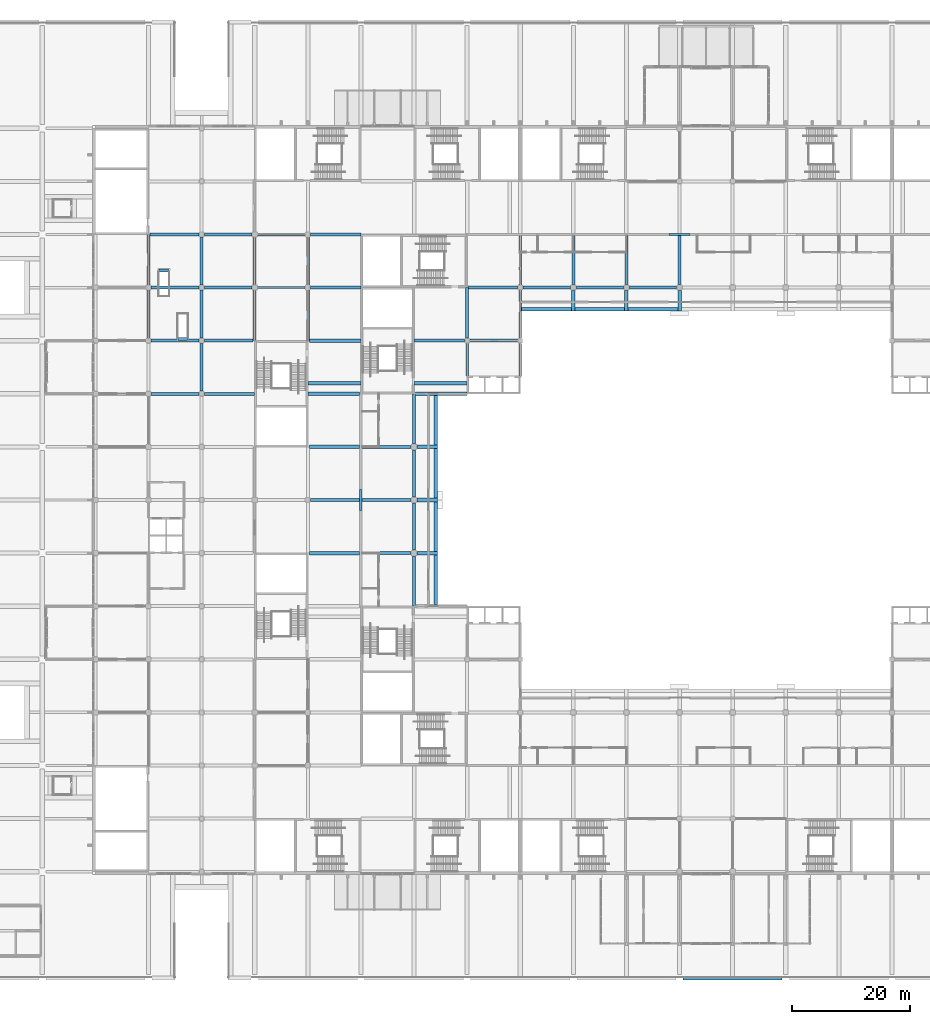
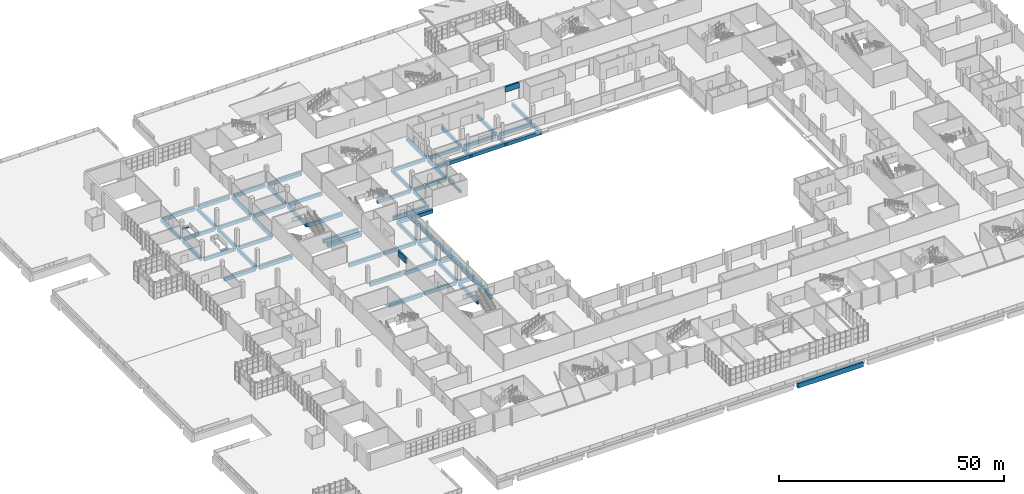
# One storey, part 42 of 168: 66 beams, 2 members.
"""IFC4 building model written with IfcOpenShell, lengths in metres."""

from ifc_helpers import new_model, si_unit, direction, frame, origin, origin_2d, place, context, subcontext, project, spatial, rectangle, extrude, material, material_profile, profile_set, type_object, element, save


model = new_model("IFC4")

# Units and contexts
model_context = context("Model", 3, precision=1e-05, world=origin(), true_north=direction((0.0, 1.0)))
body_context = subcontext(model_context, "Body", "Model", "MODEL_VIEW")
ifc_project = project(units=[si_unit("LENGTHUNIT", "METRE"), si_unit("AREAUNIT", "SQUARE_METRE"), si_unit("VOLUMEUNIT", "CUBIC_METRE"), si_unit("PLANEANGLEUNIT", "RADIAN"), si_unit("MASSUNIT", "GRAM", prefix="KILO")], contexts=[model_context])

# Site, building, storey
site_placement = place(None, origin())
site = spatial("IfcSite", under=ifc_project, at=site_placement, CompositionType="ELEMENT")
building_placement = place(site_placement, origin())
building = spatial("IfcBuilding", under=site, at=building_placement, Name="Silverbay Arena", CompositionType="ELEMENT")
storey_placement = place(building_placement, frame((0.0, 0.0, 7.0)))
storey = spatial("IfcBuildingStorey", under=building, at=storey_placement, Name="L01", CompositionType="ELEMENT", Elevation=7.0)

# Members
ifc_material_1 = material(Name="Steel S355", Category="steel")
ifc_material_profile_1 = material_profile(ifc_material_1, rectangle(XDim=0.5, YDim=0.300048828125, at=origin_2d()), Name="BOX 500x300")
ifc_profile_set_1 = profile_set([ifc_material_profile_1], Name="Steel S355")
member_type = type_object("IfcMemberType", Name="Escalator truss seat 500 x 300", PredefinedType="STRUT", material=ifc_profile_set_1)
member_1_placement = place(storey_placement, frame((37.800048828125, 119.874267578125, -0.199951171875), z_axis=(1.0, 0.0, 0.0), x_axis=(0.0, 1.0, 0.0)))
element("IfcMember", 1, at=member_1_placement, inside=storey, type_object=member_type, Name="Escalator truss seat LF30", PredefinedType="STRUT", context=body_context, shape_type="SweptSolid", body=[
    extrude(rectangle(XDim=0.5, YDim=0.300048828125, at=origin_2d()), origin(), (0.0, 0.0, 1.0), 1.599853515625),
])
member_2_placement = place(storey_placement, frame((41.0, 108.25, -0.199951171875), z_axis=(1.0, 0.0, 0.0), x_axis=(0.0, 1.0, 0.0)))
element("IfcMember", 2, at=member_2_placement, inside=storey, type_object=member_type, Name="Escalator truss seat LF31", PredefinedType="STRUT", context=body_context, shape_type="SweptSolid", body=[
    extrude(rectangle(XDim=0.5, YDim=0.300048828125, at=origin_2d()), origin(), (0.0, 0.0, 1.0), 1.60009765625),
])

# Beams
ifc_material_2 = material(Name="Concrete Grade C45", Category="concrete")
ifc_material_profile_2 = material_profile(ifc_material_2, rectangle(XDim=0.39990234375, YDim=0.699951171875, at=origin_2d()), Name="RC 400x700")
ifc_profile_set_2 = profile_set([ifc_material_profile_2], Name="Concrete Grade C45")
beam_type_1 = type_object("IfcBeamType", Name="RC beam 400x700", PredefinedType="BEAM", material=ifc_profile_set_2)
for number, where, z_axis, x_axis, name in (
    (3, (90.0, 102.0, -0.699951171875), (0.0, 1.0, 0.0), (-1.0, 0.0, 0.0), "Floor beam L01 240"),
    (4, (99.0, 102.0, -0.699951171875), (0.0, 1.0, 0.0), (-1.0, 0.0, 0.0), "Floor beam L01 249"),
):
    element("IfcBeam", number, at=place(storey_placement, frame(where, z_axis=z_axis, x_axis=x_axis)), inside=storey, type_object=beam_type_1, Name=name, PredefinedType="BEAM", context=body_context, shape_type="SweptSolid", body=[
        extrude(rectangle(XDim=0.39990234375, YDim=0.699951171875, at=origin_2d()), origin(), (0.0, 0.0, 1.0), 5.550048828125),
    ])
ifc_material_3 = material(Name="Concrete Grade C45", Category="concrete")
ifc_material_profile_3 = material_profile(ifc_material_3, rectangle(XDim=0.5, YDim=1.0, at=origin_2d()), Name="RC 500x1000")
ifc_profile_set_3 = profile_set([ifc_material_profile_3], Name="Concrete Grade C45")
beam_type_2 = type_object("IfcBeamType", Name="RC beam 500x1000", PredefinedType="BEAM", material=ifc_profile_set_3)
beam_1_placement = place(storey_placement, frame((63.0, 108.0, -0.85009765625), z_axis=(0.0, 1.0, 0.0), x_axis=(-1.0, 0.0, 0.0)))
element("IfcBeam", 5, at=beam_1_placement, inside=storey, type_object=beam_type_2, Name="Floor beam L01 228", PredefinedType="BEAM", context=body_context, shape_type="SweptSolid", body=[
    extrude(rectangle(XDim=0.5, YDim=1.0, at=origin_2d()), origin(), (0.0, 0.0, 1.0), 8.550048828125),
])
for number, where, z_axis, x_axis, name in (
    (6, (81.0, 63.0, -0.85009765625), (0.0, 1.0, 0.0), (-1.0, 0.0, 0.0), "Floor beam L01 232"),
    (7, (81.0, 90.5, -0.85009765625), (0.0, 1.0, 0.0), (-1.0, 0.0, 0.0), "Floor beam L01 235"),
):
    element("IfcBeam", number, at=place(storey_placement, frame(where, z_axis=z_axis, x_axis=x_axis)), inside=storey, type_object=beam_type_2, Name=name, PredefinedType="BEAM", context=body_context, shape_type="SweptSolid", body=[
        extrude(rectangle(XDim=0.5, YDim=1.0, at=origin_2d()), origin(), (0.0, 0.0, 1.0), 8.5),
    ])
beam_2_placement = place(storey_placement, frame((99.0, 108.449951171875, -0.85009765625), z_axis=(0.0, 1.0, 0.0), x_axis=(-1.0, 0.0, 0.0)))
element("IfcBeam", 8, at=beam_2_placement, inside=storey, type_object=beam_type_2, Name="Floor beam L01 250", PredefinedType="BEAM", context=body_context, shape_type="SweptSolid", body=[
    extrude(rectangle(XDim=0.5, YDim=1.0, at=origin_2d()), origin(), (0.0, 0.0, 1.0), 8.10009765625),
])
ifc_material_4 = material(Name="Concrete Grade C45", Category="concrete")
ifc_material_profile_4 = material_profile(ifc_material_4, rectangle(XDim=0.5, YDim=0.89990234375, at=origin_2d()), Name="RC 500x900")
ifc_profile_set_4 = profile_set([ifc_material_profile_4], Name="Concrete Grade C45")
beam_type_3 = type_object("IfcBeamType", Name="RC beam 500x900", PredefinedType="BEAM", material=ifc_profile_set_4)
beam_3_placement = place(storey_placement, frame((72.199951171875, 72.0, -0.800048828125), z_axis=(1.0, 0.0, 0.0), x_axis=(0.0, 1.0, 0.0)))
element("IfcBeam", 9, at=beam_3_placement, inside=storey, type_object=beam_type_3, Name="Floor beam L01 076", PredefinedType="BEAM", context=body_context, shape_type="SweptSolid", body=[
    extrude(rectangle(XDim=0.5, YDim=0.89990234375, at=origin_2d()), origin(), (0.0, 0.0, 1.0), 8.300048828125),
])
beam_4_placement = place(storey_placement, frame((63.449951171875, 81.0, -0.800048828125), z_axis=(1.0, 0.0, 0.0), x_axis=(0.0, 1.0, 0.0)))
element("IfcBeam", 10, at=beam_4_placement, inside=storey, type_object=beam_type_3, Name="Floor beam L01 088", PredefinedType="BEAM", context=body_context, shape_type="SweptSolid", body=[
    extrude(rectangle(XDim=0.5, YDim=0.89990234375, at=origin_2d()), origin(), (0.0, 0.0, 1.0), 8.35009765625),
])
for number, where, z_axis, x_axis, name in (
    (11, (72.199951171875, 81.0, -0.800048828125), (1.0, 0.0, 0.0), (0.0, 1.0, 0.0), "Floor beam L01 089"),
    (12, (72.199951171875, 90.0, -0.800048828125), (1.0, 0.0, 0.0), (0.0, 1.0, 0.0), "Floor beam L01 102"),
):
    element("IfcBeam", number, at=place(storey_placement, frame(where, z_axis=z_axis, x_axis=x_axis)), inside=storey, type_object=beam_type_3, Name=name, PredefinedType="BEAM", context=body_context, shape_type="SweptSolid", body=[
        extrude(rectangle(XDim=0.5, YDim=0.89990234375, at=origin_2d()), origin(), (0.0, 0.0, 1.0), 8.300048828125),
    ])
beam_5_placement = place(storey_placement, frame((36.449951171875, 99.0, -0.800048828125), z_axis=(1.0, 0.0, 0.0), x_axis=(0.0, 1.0, 0.0)))
element("IfcBeam", 13, at=beam_5_placement, inside=storey, type_object=beam_type_3, Name="Floor beam L01 111", PredefinedType="BEAM", context=body_context, shape_type="SweptSolid", body=[
    extrude(rectangle(XDim=0.5, YDim=0.89990234375, at=origin_2d()), origin(), (0.0, 0.0, 1.0), 8.10009765625),
])
beam_6_placement = place(storey_placement, frame((45.449951171875, 99.0, -0.800048828125), z_axis=(1.0, 0.0, 0.0), x_axis=(0.0, 1.0, 0.0)))
element("IfcBeam", 14, at=beam_6_placement, inside=storey, type_object=beam_type_3, Name="Floor beam L01 112", PredefinedType="BEAM", context=body_context, shape_type="SweptSolid", body=[
    extrude(rectangle(XDim=0.5, YDim=0.89990234375, at=origin_2d()), origin(), (0.0, 0.0, 1.0), 8.550048828125),
])
beam_7_placement = place(storey_placement, frame((36.449951171875, 108.0, -0.800048828125), z_axis=(1.0, 0.0, 0.0), x_axis=(0.0, 1.0, 0.0)))
element("IfcBeam", 15, at=beam_7_placement, inside=storey, type_object=beam_type_3, Name="Floor beam L01 125", PredefinedType="BEAM", context=body_context, shape_type="SweptSolid", body=[
    extrude(rectangle(XDim=0.5, YDim=0.89990234375, at=origin_2d()), origin(), (0.0, 0.0, 1.0), 8.10009765625),
])
beam_8_placement = place(storey_placement, frame((45.449951171875, 108.0, -0.800048828125), z_axis=(1.0, 0.0, 0.0), x_axis=(0.0, 1.0, 0.0)))
element("IfcBeam", 16, at=beam_8_placement, inside=storey, type_object=beam_type_3, Name="Floor beam L01 126", PredefinedType="BEAM", context=body_context, shape_type="SweptSolid", body=[
    extrude(rectangle(XDim=0.5, YDim=0.89990234375, at=origin_2d()), origin(), (0.0, 0.0, 1.0), 8.300048828125),
])
beam_9_placement = place(storey_placement, frame((81.0, 108.0, -0.800048828125), z_axis=(1.0, 0.0, 0.0), x_axis=(0.0, 1.0, 0.0)))
element("IfcBeam", 17, at=beam_9_placement, inside=storey, type_object=beam_type_3, Name="Floor beam L01 128", PredefinedType="BEAM", context=body_context, shape_type="SweptSolid", body=[
    extrude(rectangle(XDim=0.5, YDim=0.89990234375, at=origin_2d()), origin(), (0.0, 0.0, 1.0), 8.550048828125),
])
for number, where, z_axis, x_axis, name in (
    (18, (90.449951171875, 108.0, -0.800048828125), (1.0, 0.0, 0.0), (0.0, 1.0, 0.0), "Floor beam L01 129"),
    (19, (36.449951171875, 117.0, -0.800048828125), (1.0, 0.0, 0.0), (0.0, 1.0, 0.0), "Floor beam L01 137"),
):
    element("IfcBeam", number, at=place(storey_placement, frame(where, z_axis=z_axis, x_axis=x_axis)), inside=storey, type_object=beam_type_3, Name=name, PredefinedType="BEAM", context=body_context, shape_type="SweptSolid", body=[
        extrude(rectangle(XDim=0.5, YDim=0.89990234375, at=origin_2d()), origin(), (0.0, 0.0, 1.0), 8.10009765625),
    ])
for number, where, z_axis, x_axis, name in (
    (20, (45.449951171875, 117.0, -0.800048828125), (1.0, 0.0, 0.0), (0.0, 1.0, 0.0), "Floor beam L01 138"),
    (21, (54.5, 117.0, -0.800048828125), (1.0, 0.0, 0.0), (0.0, 1.0, 0.0), "Floor beam L01 139"),
):
    element("IfcBeam", number, at=place(storey_placement, frame(where, z_axis=z_axis, x_axis=x_axis)), inside=storey, type_object=beam_type_3, Name=name, PredefinedType="BEAM", context=body_context, shape_type="SweptSolid", body=[
        extrude(rectangle(XDim=0.5, YDim=0.89990234375, at=origin_2d()), origin(), (0.0, 0.0, 1.0), 8.050048828125),
    ])
beam_10_placement = place(storey_placement, frame((63.449951171875, 117.0, -0.800048828125), z_axis=(1.0, 0.0, 0.0), x_axis=(0.0, 1.0, 0.0)))
element("IfcBeam", 22, at=beam_10_placement, inside=storey, type_object=beam_type_3, Name="Floor beam L01 140", PredefinedType="BEAM", context=body_context, shape_type="SweptSolid", body=[
    extrude(rectangle(XDim=0.5, YDim=0.89990234375, at=origin_2d()), origin(), (0.0, 0.0, 1.0), 8.550048828125),
])
beam_11_placement = place(storey_placement, frame((90.25, 117.0, -0.800048828125), z_axis=(1.0, 0.0, 0.0), x_axis=(0.0, 1.0, 0.0)))
element("IfcBeam", 23, at=beam_11_placement, inside=storey, type_object=beam_type_3, Name="Floor beam L01 141", PredefinedType="BEAM", context=body_context, shape_type="SweptSolid", body=[
    extrude(rectangle(XDim=0.5, YDim=0.89990234375, at=origin_2d()), origin(), (0.0, 0.0, 1.0), 8.300048828125),
])
beam_12_placement = place(storey_placement, frame((99.449951171875, 117.0, -0.800048828125), z_axis=(1.0, 0.0, 0.0), x_axis=(0.0, 1.0, 0.0)))
element("IfcBeam", 24, at=beam_12_placement, inside=storey, type_object=beam_type_3, Name="Floor beam L01 142", PredefinedType="BEAM", context=body_context, shape_type="SweptSolid", body=[
    extrude(rectangle(XDim=0.5, YDim=0.89990234375, at=origin_2d()), origin(), (0.0, 0.0, 1.0), 8.050048828125),
])
for number, where, z_axis, x_axis, name in (
    (25, (108.5, 117.0, -0.800048828125), (1.0, 0.0, 0.0), (0.0, 1.0, 0.0), "Floor beam L01 143"),
    (26, (117.5, 117.0, -0.800048828125), (1.0, 0.0, 0.0), (0.0, 1.0, 0.0), "Floor beam L01 144"),
):
    element("IfcBeam", number, at=place(storey_placement, frame(where, z_axis=z_axis, x_axis=x_axis)), inside=storey, type_object=beam_type_3, Name=name, PredefinedType="BEAM", context=body_context, shape_type="SweptSolid", body=[
        extrude(rectangle(XDim=0.5, YDim=0.89990234375, at=origin_2d()), origin(), (0.0, 0.0, 1.0), 8.0),
    ])
beam_13_placement = place(storey_placement, frame((36.25, 126.0, -0.800048828125), z_axis=(1.0, 0.0, 0.0), x_axis=(0.0, 1.0, 0.0)))
element("IfcBeam", 27, at=beam_13_placement, inside=storey, type_object=beam_type_3, Name="Floor beam L01 155", PredefinedType="BEAM", context=body_context, shape_type="SweptSolid", body=[
    extrude(rectangle(XDim=0.5, YDim=0.89990234375, at=origin_2d()), origin(), (0.0, 0.0, 1.0), 8.300048828125),
])
for number, where, z_axis, x_axis, name in (
    (28, (45.449951171875, 126.0, -0.800048828125), (1.0, 0.0, 0.0), (0.0, 1.0, 0.0), "Floor beam L01 156"),
    (29, (54.5, 126.0, -0.800048828125), (1.0, 0.0, 0.0), (0.0, 1.0, 0.0), "Floor beam L01 157"),
):
    element("IfcBeam", number, at=place(storey_placement, frame(where, z_axis=z_axis, x_axis=x_axis)), inside=storey, type_object=beam_type_3, Name=name, PredefinedType="BEAM", context=body_context, shape_type="SweptSolid", body=[
        extrude(rectangle(XDim=0.5, YDim=0.89990234375, at=origin_2d()), origin(), (0.0, 0.0, 1.0), 8.050048828125),
    ])
beam_14_placement = place(storey_placement, frame((63.449951171875, 126.0, -0.800048828125), z_axis=(1.0, 0.0, 0.0), x_axis=(0.0, 1.0, 0.0)))
element("IfcBeam", 30, at=beam_14_placement, inside=storey, type_object=beam_type_3, Name="Floor beam L01 158", PredefinedType="BEAM", context=body_context, shape_type="SweptSolid", body=[
    extrude(rectangle(XDim=0.5, YDim=0.89990234375, at=origin_2d()), origin(), (0.0, 0.0, 1.0), 8.550048828125),
])
beam_15_placement = place(storey_placement, frame((36.0, 108.449951171875, -0.800048828125), z_axis=(0.0, 1.0, 0.0), x_axis=(-1.0, 0.0, 0.0)))
element("IfcBeam", 31, at=beam_15_placement, inside=storey, type_object=beam_type_3, Name="Floor beam L01 199", PredefinedType="BEAM", context=body_context, shape_type="SweptSolid", body=[
    extrude(rectangle(XDim=0.5, YDim=0.89990234375, at=origin_2d()), origin(), (0.0, 0.0, 1.0), 8.10009765625),
])
beam_16_placement = place(storey_placement, frame((36.0, 117.449951171875, -0.800048828125), z_axis=(0.0, 1.0, 0.0), x_axis=(-1.0, 0.0, 0.0)))
element("IfcBeam", 32, at=beam_16_placement, inside=storey, type_object=beam_type_3, Name="Floor beam L01 200", PredefinedType="BEAM", context=body_context, shape_type="SweptSolid", body=[
    extrude(rectangle(XDim=0.5, YDim=0.89990234375, at=origin_2d()), origin(), (0.0, 0.0, 1.0), 8.550048828125),
])
for number, where, z_axis, x_axis, name in (
    (33, (45.0, 99.449951171875, -0.800048828125), (0.0, 1.0, 0.0), (-1.0, 0.0, 0.0), "Floor beam L01 210"),
    (34, (45.0, 108.449951171875, -0.800048828125), (0.0, 1.0, 0.0), (-1.0, 0.0, 0.0), "Floor beam L01 211"),
    (35, (45.0, 117.449951171875, -0.800048828125), (0.0, 1.0, 0.0), (-1.0, 0.0, 0.0), "Floor beam L01 212"),
):
    element("IfcBeam", number, at=place(storey_placement, frame(where, z_axis=z_axis, x_axis=x_axis)), inside=storey, type_object=beam_type_3, Name=name, PredefinedType="BEAM", context=body_context, shape_type="SweptSolid", body=[
        extrude(rectangle(XDim=0.5, YDim=0.89990234375, at=origin_2d()), origin(), (0.0, 0.0, 1.0), 8.10009765625),
    ])
beam_17_placement = place(storey_placement, frame((54.0, 108.0, -0.800048828125), z_axis=(0.0, 1.0, 0.0), x_axis=(-1.0, 0.0, 0.0)))
element("IfcBeam", 36, at=beam_17_placement, inside=storey, type_object=beam_type_3, Name="Floor beam L01 220", PredefinedType="BEAM", context=body_context, shape_type="SweptSolid", body=[
    extrude(rectangle(XDim=0.5, YDim=0.89990234375, at=origin_2d()), origin(), (0.0, 0.0, 1.0), 8.5),
])
beam_18_placement = place(storey_placement, frame((54.0, 117.5, -0.800048828125), z_axis=(0.0, 1.0, 0.0), x_axis=(-1.0, 0.0, 0.0)))
element("IfcBeam", 37, at=beam_18_placement, inside=storey, type_object=beam_type_3, Name="Floor beam L01 221", PredefinedType="BEAM", context=body_context, shape_type="SweptSolid", body=[
    extrude(rectangle(XDim=0.5, YDim=0.89990234375, at=origin_2d()), origin(), (0.0, 0.0, 1.0), 8.0),
])
beam_19_placement = place(storey_placement, frame((63.0, 117.449951171875, -0.800048828125), z_axis=(0.0, 1.0, 0.0), x_axis=(-1.0, 0.0, 0.0)))
element("IfcBeam", 38, at=beam_19_placement, inside=storey, type_object=beam_type_3, Name="Floor beam L01 229", PredefinedType="BEAM", context=body_context, shape_type="SweptSolid", body=[
    extrude(rectangle(XDim=0.5, YDim=0.89990234375, at=origin_2d()), origin(), (0.0, 0.0, 1.0), 8.10009765625),
])
for number, where, z_axis, x_axis, name in (
    (39, (81.0, 72.5, -0.800048828125), (0.0, 1.0, 0.0), (-1.0, 0.0, 0.0), "Floor beam L01 233"),
    (40, (81.0, 81.5, -0.800048828125), (0.0, 1.0, 0.0), (-1.0, 0.0, 0.0), "Floor beam L01 234"),
):
    element("IfcBeam", number, at=place(storey_placement, frame(where, z_axis=z_axis, x_axis=x_axis)), inside=storey, type_object=beam_type_3, Name=name, PredefinedType="BEAM", context=body_context, shape_type="SweptSolid", body=[
        extrude(rectangle(XDim=0.5, YDim=0.89990234375, at=origin_2d()), origin(), (0.0, 0.0, 1.0), 8.0),
    ])
beam_20_placement = place(storey_placement, frame((90.0, 108.449951171875, -0.800048828125), z_axis=(0.0, 1.0, 0.0), x_axis=(-1.0, 0.0, 0.0)))
element("IfcBeam", 41, at=beam_20_placement, inside=storey, type_object=beam_type_3, Name="Floor beam L01 241", PredefinedType="BEAM", context=body_context, shape_type="SweptSolid", body=[
    extrude(rectangle(XDim=0.5, YDim=0.89990234375, at=origin_2d()), origin(), (0.0, 0.0, 1.0), 8.550048828125),
])
beam_21_placement = place(storey_placement, frame((99.0, 117.449951171875, -0.800048828125), z_axis=(0.0, 1.0, 0.0), x_axis=(-1.0, 0.0, 0.0)))
element("IfcBeam", 42, at=beam_21_placement, inside=storey, type_object=beam_type_3, Name="Floor beam L01 251", PredefinedType="BEAM", context=body_context, shape_type="SweptSolid", body=[
    extrude(rectangle(XDim=0.5, YDim=0.89990234375, at=origin_2d()), origin(), (0.0, 0.0, 1.0), 8.35009765625),
])
for number, where, z_axis, x_axis, name in (
    (43, (108.0, 117.5, -0.800048828125), (0.0, 1.0, 0.0), (-1.0, 0.0, 0.0), "Floor beam L01 257"),
    (44, (117.0, 117.5, -0.800048828125), (0.0, 1.0, 0.0), (-1.0, 0.0, 0.0), "Floor beam L01 263"),
    (45, (126.0, 117.5, -0.800048828125), (0.0, 1.0, 0.0), (-1.0, 0.0, 0.0), "Floor beam L01 270"),
):
    element("IfcBeam", number, at=place(storey_placement, frame(where, z_axis=z_axis, x_axis=x_axis)), inside=storey, type_object=beam_type_3, Name=name, PredefinedType="BEAM", context=body_context, shape_type="SweptSolid", body=[
        extrude(rectangle(XDim=0.5, YDim=0.89990234375, at=origin_2d()), origin(), (0.0, 0.0, 1.0), 8.300048828125),
    ])
ifc_material_5 = material(Name="Concrete Grade C45", Category="concrete")
ifc_material_profile_5 = material_profile(ifc_material_5, rectangle(XDim=0.60009765625, YDim=1.0, at=origin_2d()), Name="RC 600x1000")
ifc_profile_set_5 = profile_set([ifc_material_profile_5], Name="Concrete Grade C45")
beam_type_4 = type_object("IfcBeamType", Name="RC beam 600x1000", PredefinedType="BEAM", material=ifc_profile_set_5)
beam_22_placement = place(storey_placement, frame((63.25, 72.0, -0.85009765625), z_axis=(1.0, 0.0, 0.0), x_axis=(0.0, 1.0, 0.0)))
element("IfcBeam", 46, at=beam_22_placement, inside=storey, type_object=beam_type_4, Name="Floor beam L01 075", PredefinedType="BEAM", context=body_context, shape_type="SweptSolid", body=[
    extrude(rectangle(XDim=0.60009765625, YDim=1.0, at=origin_2d()), origin(), (0.0, 0.0, 1.0), 8.550048828125),
])
for number, where, z_axis, x_axis, name in (
    (47, (81.5, 72.0, -0.85009765625), (1.0, 0.0, 0.0), (0.0, 1.0, 0.0), "Floor beam L01 077"),
    (48, (81.5, 81.0, -0.85009765625), (1.0, 0.0, 0.0), (0.0, 1.0, 0.0), "Floor beam L01 090"),
):
    element("IfcBeam", number, at=place(storey_placement, frame(where, z_axis=z_axis, x_axis=x_axis)), inside=storey, type_object=beam_type_4, Name=name, PredefinedType="BEAM", context=body_context, shape_type="SweptSolid", body=[
        extrude(rectangle(XDim=0.60009765625, YDim=1.0, at=origin_2d()), origin(), (0.0, 0.0, 1.0), 3.5),
    ])
beam_23_placement = place(storey_placement, frame((63.25, 90.0, -0.85009765625), z_axis=(1.0, 0.0, 0.0), x_axis=(0.0, 1.0, 0.0)))
element("IfcBeam", 49, at=beam_23_placement, inside=storey, type_object=beam_type_4, Name="Floor beam L01 101", PredefinedType="BEAM", context=body_context, shape_type="SweptSolid", body=[
    extrude(rectangle(XDim=0.60009765625, YDim=1.0, at=origin_2d()), origin(), (0.0, 0.0, 1.0), 8.550048828125),
])
beam_24_placement = place(storey_placement, frame((81.5, 90.0, -0.85009765625), z_axis=(1.0, 0.0, 0.0), x_axis=(0.0, 1.0, 0.0)))
element("IfcBeam", 50, at=beam_24_placement, inside=storey, type_object=beam_type_4, Name="Floor beam L01 103", PredefinedType="BEAM", context=body_context, shape_type="SweptSolid", body=[
    extrude(rectangle(XDim=0.60009765625, YDim=1.0, at=origin_2d()), origin(), (0.0, 0.0, 1.0), 3.5),
])
beam_25_placement = place(storey_placement, frame((63.0, 99.0, -0.85009765625), z_axis=(1.0, 0.0, 0.0), x_axis=(0.0, 1.0, 0.0)))
element("IfcBeam", 51, at=beam_25_placement, inside=storey, type_object=beam_type_4, Name="Floor beam L01 113", PredefinedType="BEAM", context=body_context, shape_type="SweptSolid", body=[
    extrude(rectangle(XDim=0.60009765625, YDim=1.0, at=origin_2d()), origin(), (0.0, 0.0, 1.0), 8.800048828125),
])
beam_26_placement = place(storey_placement, frame((81.25, 99.0, -0.85009765625), z_axis=(1.0, 0.0, 0.0), x_axis=(0.0, 1.0, 0.0)))
element("IfcBeam", 52, at=beam_26_placement, inside=storey, type_object=beam_type_4, Name="Floor beam L01 114", PredefinedType="BEAM", context=body_context, shape_type="SweptSolid", body=[
    extrude(rectangle(XDim=0.60009765625, YDim=1.0, at=origin_2d()), origin(), (0.0, 0.0, 1.0), 8.75),
])
for number, where, z_axis, x_axis, name in (
    (53, (63.0, 100.800048828125, -0.85009765625), (1.0, 0.0, 0.0), (0.0, 1.0, 0.0), "Floor beam L01 120"),
    (54, (81.0, 100.800048828125, -0.85009765625), (1.0, 0.0, 0.0), (0.0, 1.0, 0.0), "Floor beam L01 121"),
):
    element("IfcBeam", number, at=place(storey_placement, frame(where, z_axis=z_axis, x_axis=x_axis)), inside=storey, type_object=beam_type_4, Name=name, PredefinedType="BEAM", context=body_context, shape_type="SweptSolid", body=[
        extrude(rectangle(XDim=0.60009765625, YDim=1.0, at=origin_2d()), origin(), (0.0, 0.0, 1.0), 9.0),
    ])
beam_27_placement = place(storey_placement, frame((63.25, 108.0, -0.85009765625), z_axis=(1.0, 0.0, 0.0), x_axis=(0.0, 1.0, 0.0)))
element("IfcBeam", 55, at=beam_27_placement, inside=storey, type_object=beam_type_4, Name="Floor beam L01 127", PredefinedType="BEAM", context=body_context, shape_type="SweptSolid", body=[
    extrude(rectangle(XDim=0.60009765625, YDim=1.0, at=origin_2d()), origin(), (0.0, 0.0, 1.0), 8.75),
])
for number, where, z_axis, x_axis, name in (
    (56, (108.0, 113.0, -0.85009765625), (0.0, 1.0, 0.0), (-1.0, 0.0, 0.0), "Floor beam L01 256"),
    (57, (117.0, 113.0, -0.85009765625), (0.0, 1.0, 0.0), (-1.0, 0.0, 0.0), "Floor beam L01 262"),
    (58, (126.0, 113.0, -0.85009765625), (0.0, 1.0, 0.0), (-1.0, 0.0, 0.0), "Floor beam L01 269"),
):
    element("IfcBeam", number, at=place(storey_placement, frame(where, z_axis=z_axis, x_axis=x_axis)), inside=storey, type_object=beam_type_4, Name=name, PredefinedType="BEAM", context=body_context, shape_type="SweptSolid", body=[
        extrude(rectangle(XDim=0.60009765625, YDim=1.0, at=origin_2d()), origin(), (0.0, 0.0, 1.0), 3.5),
    ])
beam_28_placement = place(storey_placement, frame((99.25, 113.300048828125, -0.85009765625), z_axis=(1.0, 0.0, 0.0), x_axis=(0.0, 1.0, 0.0)))
element("IfcBeam", 59, at=beam_28_placement, inside=storey, type_object=beam_type_4, Name="Floor beam L01 372", PredefinedType="BEAM", context=body_context, shape_type="SweptSolid", body=[
    extrude(rectangle(XDim=0.60009765625, YDim=1.0, at=origin_2d()), origin(), (0.0, 0.0, 1.0), 8.449951171875),
])
for number, where, z_axis, x_axis, name in (
    (60, (108.300048828125, 113.300048828125, -0.85009765625), (1.0, 0.0, 0.0), (0.0, 1.0, 0.0), "Floor beam L01 373"),
    (61, (117.300048828125, 113.300048828125, -0.85009765625), (1.0, 0.0, 0.0), (0.0, 1.0, 0.0), "Floor beam L01 374"),
    (62, (84.699951171875, 63.300048828125, -0.85009765625), (0.0, 1.0, 0.0), (-1.0, 0.0, 0.0), "Floor beam L01 379"),
    (63, (84.699951171875, 72.300048828125, -0.85009765625), (0.0, 1.0, 0.0), (-1.0, 0.0, 0.0), "Floor beam L01 380"),
    (64, (84.699951171875, 81.300048828125, -0.85009765625), (0.0, 1.0, 0.0), (-1.0, 0.0, 0.0), "Floor beam L01 381"),
    (65, (84.699951171875, 90.300048828125, -0.85009765625), (0.0, 1.0, 0.0), (-1.0, 0.0, 0.0), "Floor beam L01 382"),
):
    element("IfcBeam", number, at=place(storey_placement, frame(where, z_axis=z_axis, x_axis=x_axis)), inside=storey, type_object=beam_type_4, Name=name, PredefinedType="BEAM", context=body_context, shape_type="SweptSolid", body=[
        extrude(rectangle(XDim=0.60009765625, YDim=1.0, at=origin_2d()), origin(), (0.0, 0.0, 1.0), 8.39990234375),
    ])
ifc_material_6 = material(Name="Concrete Grade C45", Category="concrete")
ifc_material_profile_6 = material_profile(ifc_material_6, rectangle(XDim=0.699951171875, YDim=1.300048828125, at=origin_2d()), Name="RC 700x1300")
ifc_profile_set_6 = profile_set([ifc_material_profile_6], Name="Concrete Grade C45")
beam_type_5 = type_object("IfcBeamType", Name="RC girder 700x1300", PredefinedType="BEAM", material=ifc_profile_set_6)
beam_29_placement = place(storey_placement, frame((126.60009765625, 0.0, -1.10009765625), z_axis=(1.0, 0.0, 0.0), x_axis=(0.0, 1.0, 0.0)))
element("IfcBeam", 66, at=beam_29_placement, inside=storey, type_object=beam_type_5, Name="Deck girder 139", PredefinedType="BEAM", context=body_context, shape_type="SweptSolid", body=[
    extrude(rectangle(XDim=0.699951171875, YDim=1.300048828125, at=origin_2d()), origin(), (0.0, 0.0, 1.0), 16.7998046875),
])
ifc_material_7 = material(Name="Concrete Grade C45", Category="concrete")
ifc_material_profile_7 = material_profile(ifc_material_7, rectangle(XDim=0.39990234375, YDim=1.5, at=origin_2d()), Name="RC 400x1500")
ifc_profile_set_7 = profile_set([ifc_material_profile_7], Name="Concrete Grade C45")
beam_type_6 = type_object("IfcBeamType", Name="RC lintel 400x1500", PredefinedType="BEAM", material=ifc_profile_set_7)
for number, where, z_axis, x_axis, name in (
    (67, (124.199951171875, 126.0, 3.75), (1.0, 0.0, 0.0), (0.0, 1.0, 0.0), "Lintel over portal L01-N126"),
    (68, (72.0, 79.199951171875, 3.75), (0.0, 1.0, 0.0), (-1.0, 0.0, 0.0), "Lintel over portal L01-W81"),
):
    element("IfcBeam", number, at=place(storey_placement, frame(where, z_axis=z_axis, x_axis=x_axis)), inside=storey, type_object=beam_type_6, Name=name, PredefinedType="BEAM", context=body_context, shape_type="SweptSolid", body=[
        extrude(rectangle(XDim=0.39990234375, YDim=1.5, at=origin_2d()), origin(), (0.0, 0.0, 1.0), 3.60009765625),
    ])

save(model, "model.ifc")
